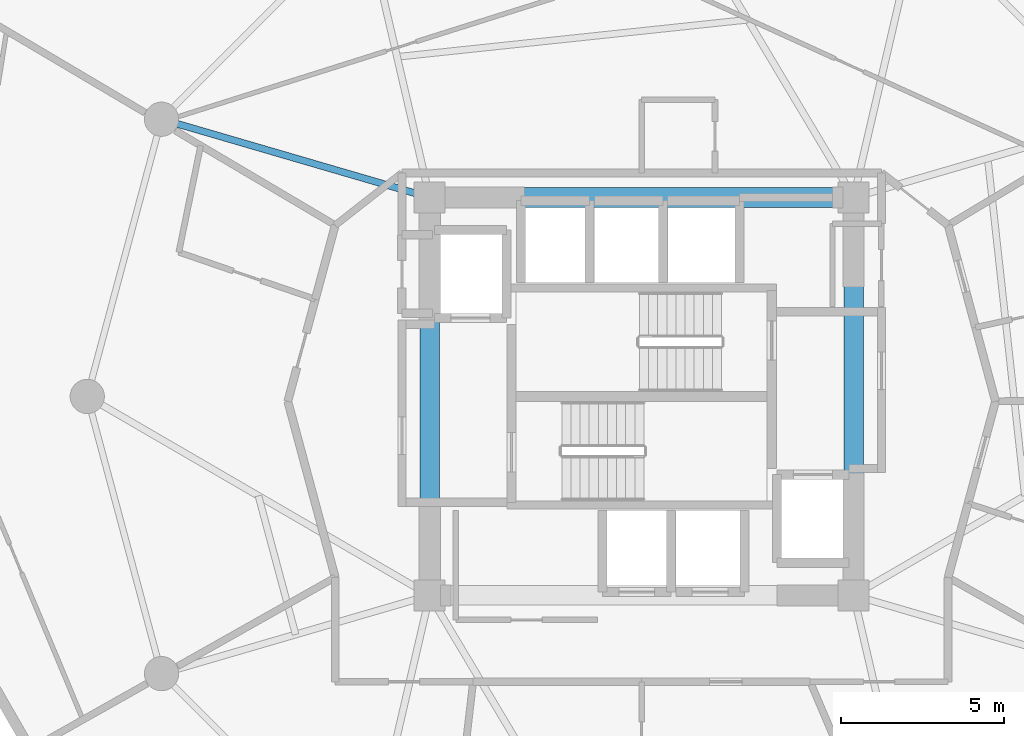
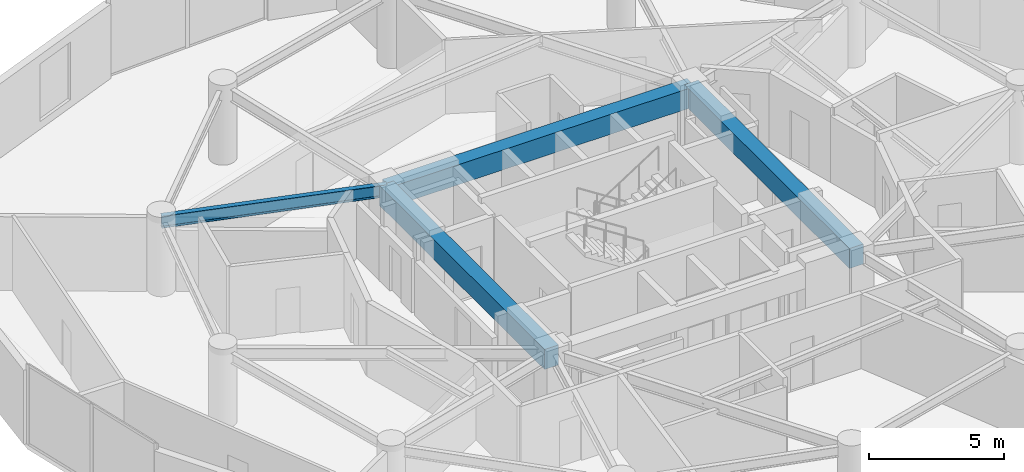
# One storey, part 9 of 25: 4 beams.
"""IFC4 building model written with IfcOpenShell, lengths in metres."""

from ifc_helpers import new_model, si_unit, direction, frame, origin, origin_2d, place, context, subcontext, project, spatial, rectangle, i_section, extrude, material, material_profile, profile_set, type_object, element, save


model = new_model("IFC4")

# Units and contexts
model_context = context("Model", 3, precision=1e-05, world=origin(), true_north=direction((0.0, 1.0)))
body_context = subcontext(model_context, "Body", "Model", "MODEL_VIEW")
ifc_project = project(units=[si_unit("LENGTHUNIT", "METRE"), si_unit("AREAUNIT", "SQUARE_METRE"), si_unit("VOLUMEUNIT", "CUBIC_METRE"), si_unit("PLANEANGLEUNIT", "RADIAN"), si_unit("MASSUNIT", "GRAM", prefix="KILO")], contexts=[model_context])

# Site, building, storey
site_placement = place(None, origin())
site = spatial("IfcSite", under=ifc_project, at=site_placement, CompositionType="ELEMENT")
building_placement = place(site_placement, origin())
building = spatial("IfcBuilding", under=site, at=building_placement, Name="Solvirekh Grand Hotel", CompositionType="ELEMENT")
storey_placement = place(building_placement, frame((0.0, 0.0, 124.199951171875)))
storey = spatial("IfcBuildingStorey", under=building, at=storey_placement, Name="L31", CompositionType="ELEMENT", Elevation=124.199951171875)

# Beams
ifc_material_1 = material(Name="Concrete C50/60", Category="concrete")
ifc_material_profile_1 = material_profile(ifc_material_1, rectangle(XDim=0.60009765625, YDim=0.89990234375, at=origin_2d()), Name="RC BEAM 600X900")
ifc_profile_set_1 = profile_set([ifc_material_profile_1], Name="Concrete C50/60")
beam_type_1 = type_object("IfcBeamType", Name="Beam_Core_RC900", PredefinedType="BEAM", material=ifc_profile_set_1)
beam_1_placement = place(storey_placement, frame((6.5, -6.10009765625, 2.900146484375), z_axis=(0.0, 1.0, 0.0), x_axis=(-1.0, 0.0, 0.0)))
element("IfcBeam", 1, at=beam_1_placement, inside=storey, type_object=beam_type_1, Name="L31 core coupling ring beam 2", PredefinedType="BEAM", context=body_context, shape_type="SweptSolid", body=[
    extrude(rectangle(XDim=0.60009765625, YDim=0.89990234375, at=origin_2d()), origin(), (0.0, 0.0, 1.0), 12.2001953125),
])
beam_2_placement = place(storey_placement, frame((6.5, 6.10009765625, 2.900146484375), z_axis=(-1.0, 0.0, 0.0), x_axis=(0.0, -1.0, 0.0)))
element("IfcBeam", 2, at=beam_2_placement, inside=storey, type_object=beam_type_1, Name="L31 core coupling ring beam 3", PredefinedType="BEAM", context=body_context, shape_type="SweptSolid", body=[
    extrude(rectangle(XDim=0.60009765625, YDim=0.89990234375, at=origin_2d()), origin(), (0.0, 0.0, 1.0), 13.0),
])
beam_3_placement = place(storey_placement, frame((-6.5, 6.10009765625, 2.900146484375), z_axis=(0.0, -1.0, 0.0), x_axis=(1.0, 0.0, 0.0)))
element("IfcBeam", 3, at=beam_3_placement, inside=storey, type_object=beam_type_1, Name="L31 core coupling ring beam 4", PredefinedType="BEAM", context=body_context, shape_type="SweptSolid", body=[
    extrude(rectangle(XDim=0.60009765625, YDim=0.89990234375, at=origin_2d()), origin(), (0.0, 0.0, 1.0), 12.2001953125),
])
ifc_material_2 = material(Name="Steel S355", Category="steel")
ifc_material_profile_2 = material_profile(ifc_material_2, i_section(OverallWidth=0.2119140625, OverallDepth=0.5439453125, WebThickness=0.011962890625, FlangeThickness=0.01904296875, FilletRadius=0.013916015625, at=origin_2d()), Name="W530X123")
ifc_profile_set_2 = profile_set([ifc_material_profile_2], Name="Steel S355")
beam_type_2 = type_object("IfcBeamType", Name="Beam_Radial_W530H", PredefinedType="BEAM", material=ifc_profile_set_2)
beam_4_placement = place(storey_placement, frame((-6.5, 6.10009765625, 3.078125), z_axis=(-0.959942195467, 0.28019811092, 0.0), x_axis=(-0.28019811092, -0.959942195467, 0.0)))
element("IfcBeam", 4, at=beam_4_placement, inside=storey, type_object=beam_type_2, Name="L31 radial floor beam R06", PredefinedType="BEAM", context=body_context, shape_type="SweptSolid", body=[
    extrude(i_section(OverallWidth=0.2119140625, OverallDepth=0.5439453125, WebThickness=0.011962890625, FlangeThickness=0.01904296875, FilletRadius=0.013916015625, at=origin_2d()), origin(), (0.0, 0.0, 1.0), 8.56494140625),
])

save(model, "model.ifc")
